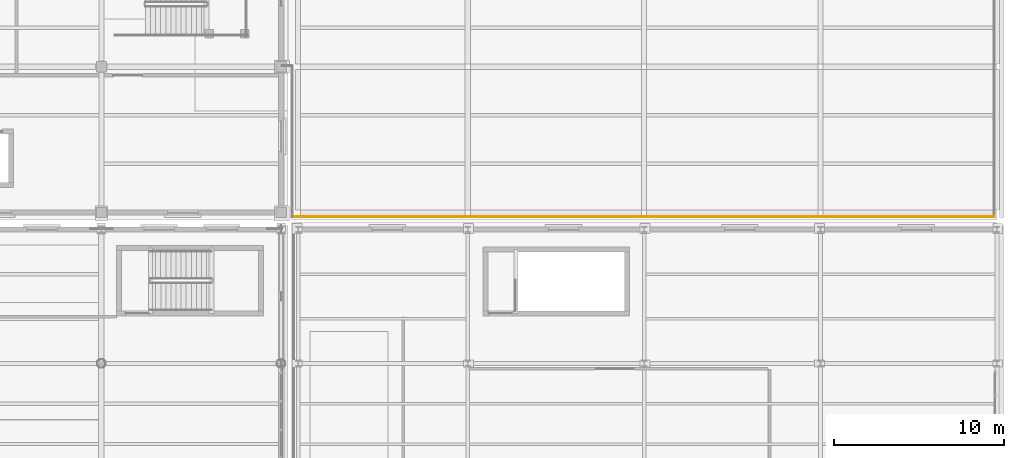
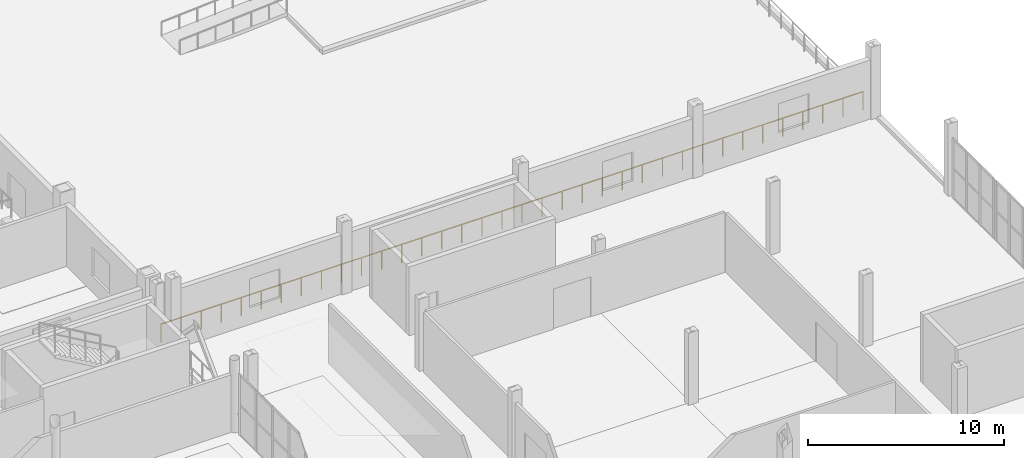
# One storey, part 153 of 156: 1 railing.
"""IFC4 building model written with IfcOpenShell, lengths in metres."""

from ifc_helpers import new_model, si_unit, direction, frame, origin, origin_2d, place, context, subcontext, project, spatial, circle, extrude, material, type_object, element, save


model = new_model("IFC4")

# Units and contexts
model_context = context("Model", 3, precision=1e-05, world=origin(), true_north=direction((0.0, 1.0)))
body_context = subcontext(model_context, "Body", "Model", "MODEL_VIEW")
ifc_project = project(units=[si_unit("LENGTHUNIT", "METRE"), si_unit("AREAUNIT", "SQUARE_METRE"), si_unit("VOLUMEUNIT", "CUBIC_METRE"), si_unit("PLANEANGLEUNIT", "RADIAN"), si_unit("MASSUNIT", "GRAM", prefix="KILO")], contexts=[model_context])

# Site, building, storey
site_placement = place(None, origin())
site = spatial("IfcSite", under=ifc_project, at=site_placement, CompositionType="ELEMENT")
building_placement = place(site_placement, origin())
building = spatial("IfcBuilding", under=site, at=building_placement, Name="Caurita Quay Ferry Terminal", CompositionType="ELEMENT")
storey_placement = place(building_placement, frame((0.0, 0.0, 5.39990234375)))
storey = spatial("IfcBuildingStorey", under=building, at=storey_placement, Name="L01", CompositionType="ELEMENT", Elevation=5.39990234375)

# Railing
ifc_material = material(Name="Bronze architectural metalwork", Category="metal")
railing_type = type_object("IfcRailingType", Name="RL-REJA-115", PredefinedType="BALUSTRADE", material=ifc_material)
railing_placement = place(storey_placement, frame((132.449951171875, 71.35009765625, 0.0)))
element("IfcRailing", 1, at=railing_placement, inside=storey, type_object=railing_type, Name="Lower Roof Garden Balustrade N-E-S (015)", PredefinedType="BALUSTRADE", context=body_context, shape_type="SweptSolid", body=[
    extrude(circle(Radius=0.02392578125, at=origin_2d()), frame((0.0, 0.0, 1.1259765625), z_axis=(1.0, 0.0, 0.0), x_axis=(0.0, 1.0, 0.0)), (0.0, 0.0, 1.0), 41.400146484375),
    extrude(circle(Radius=0.02099609375, at=origin_2d()), origin(), (0.0, 0.0, 1.0), 1.101806640625),
    extrude(circle(Radius=0.02099609375, at=origin_2d()), frame((1.182861328125, 0.0, 0.0)), (0.0, 0.0, 1.0), 1.101806640625),
    extrude(circle(Radius=0.02099609375, at=origin_2d()), frame((2.36572265625, 0.0, 0.0)), (0.0, 0.0, 1.0), 1.101806640625),
    extrude(circle(Radius=0.02099609375, at=origin_2d()), frame((3.548583984375, 0.0, 0.0)), (0.0, 0.0, 1.0), 1.101806640625),
    extrude(circle(Radius=0.02099609375, at=origin_2d()), frame((4.7314453125, 0.0, 0.0)), (0.0, 0.0, 1.0), 1.101806640625),
    extrude(circle(Radius=0.02099609375, at=origin_2d()), frame((5.914306640625, 0.0, 0.0)), (0.0, 0.0, 1.0), 1.101806640625),
    extrude(circle(Radius=0.02099609375, at=origin_2d()), frame((7.09716796875, 0.0, 0.0)), (0.0, 0.0, 1.0), 1.101806640625),
    extrude(circle(Radius=0.02099609375, at=origin_2d()), frame((8.280029296875, 0.0, 0.0)), (0.0, 0.0, 1.0), 1.101806640625),
    extrude(circle(Radius=0.02099609375, at=origin_2d()), frame((9.462890625, 0.0, 0.0)), (0.0, 0.0, 1.0), 1.101806640625),
    extrude(circle(Radius=0.02099609375, at=origin_2d()), frame((10.645751953125, 0.0, 0.0)), (0.0, 0.0, 1.0), 1.101806640625),
    extrude(circle(Radius=0.02099609375, at=origin_2d()), frame((11.82861328125, 0.0, 0.0)), (0.0, 0.0, 1.0), 1.101806640625),
    extrude(circle(Radius=0.02099609375, at=origin_2d()), frame((13.011474609375, 0.0, 0.0)), (0.0, 0.0, 1.0), 1.101806640625),
    extrude(circle(Radius=0.02099609375, at=origin_2d()), frame((14.1943359375, 0.0, 0.0)), (0.0, 0.0, 1.0), 1.101806640625),
    extrude(circle(Radius=0.02099609375, at=origin_2d()), frame((15.377197265625, 0.0, 0.0)), (0.0, 0.0, 1.0), 1.101806640625),
    extrude(circle(Radius=0.02099609375, at=origin_2d()), frame((16.56005859375, 0.0, 0.0)), (0.0, 0.0, 1.0), 1.101806640625),
    extrude(circle(Radius=0.02099609375, at=origin_2d()), frame((17.742919921875, 0.0, 0.0)), (0.0, 0.0, 1.0), 1.101806640625),
    extrude(circle(Radius=0.02099609375, at=origin_2d()), frame((18.92578125, 0.0, 0.0)), (0.0, 0.0, 1.0), 1.101806640625),
    extrude(circle(Radius=0.02099609375, at=origin_2d()), frame((20.108642578125, 0.0, 0.0)), (0.0, 0.0, 1.0), 1.101806640625),
    extrude(circle(Radius=0.02099609375, at=origin_2d()), frame((21.29150390625, 0.0, 0.0)), (0.0, 0.0, 1.0), 1.101806640625),
    extrude(circle(Radius=0.02099609375, at=origin_2d()), frame((22.474365234375, 0.0, 0.0)), (0.0, 0.0, 1.0), 1.101806640625),
    extrude(circle(Radius=0.02099609375, at=origin_2d()), frame((23.6572265625, 0.0, 0.0)), (0.0, 0.0, 1.0), 1.101806640625),
    extrude(circle(Radius=0.02099609375, at=origin_2d()), frame((24.840087890625, 0.0, 0.0)), (0.0, 0.0, 1.0), 1.101806640625),
    extrude(circle(Radius=0.02099609375, at=origin_2d()), frame((26.02294921875, 0.0, 0.0)), (0.0, 0.0, 1.0), 1.101806640625),
    extrude(circle(Radius=0.02099609375, at=origin_2d()), frame((27.205810546875, 0.0, 0.0)), (0.0, 0.0, 1.0), 1.101806640625),
    extrude(circle(Radius=0.02099609375, at=origin_2d()), frame((28.388671875, 0.0, 0.0)), (0.0, 0.0, 1.0), 1.101806640625),
    extrude(circle(Radius=0.02099609375, at=origin_2d()), frame((29.571533203125, 0.0, 0.0)), (0.0, 0.0, 1.0), 1.101806640625),
    extrude(circle(Radius=0.02099609375, at=origin_2d()), frame((30.75439453125, 0.0, 0.0)), (0.0, 0.0, 1.0), 1.101806640625),
    extrude(circle(Radius=0.02099609375, at=origin_2d()), frame((31.937255859375, 0.0, 0.0)), (0.0, 0.0, 1.0), 1.101806640625),
    extrude(circle(Radius=0.02099609375, at=origin_2d()), frame((33.1201171875, 0.0, 0.0)), (0.0, 0.0, 1.0), 1.101806640625),
    extrude(circle(Radius=0.02099609375, at=origin_2d()), frame((34.302978515625, 0.0, 0.0)), (0.0, 0.0, 1.0), 1.101806640625),
    extrude(circle(Radius=0.02099609375, at=origin_2d()), frame((35.48583984375, 0.0, 0.0)), (0.0, 0.0, 1.0), 1.101806640625),
    extrude(circle(Radius=0.02099609375, at=origin_2d()), frame((36.668701171875, 0.0, 0.0)), (0.0, 0.0, 1.0), 1.101806640625),
    extrude(circle(Radius=0.02099609375, at=origin_2d()), frame((37.8515625, 0.0, 0.0)), (0.0, 0.0, 1.0), 1.101806640625),
    extrude(circle(Radius=0.02099609375, at=origin_2d()), frame((39.034423828125, 0.0, 0.0)), (0.0, 0.0, 1.0), 1.101806640625),
    extrude(circle(Radius=0.02099609375, at=origin_2d()), frame((40.21728515625, 0.0, 0.0)), (0.0, 0.0, 1.0), 1.101806640625),
    extrude(circle(Radius=0.02099609375, at=origin_2d()), frame((41.400146484375, 0.0, 0.0)), (0.0, 0.0, 1.0), 1.101806640625),
])

save(model, "model.ifc")
